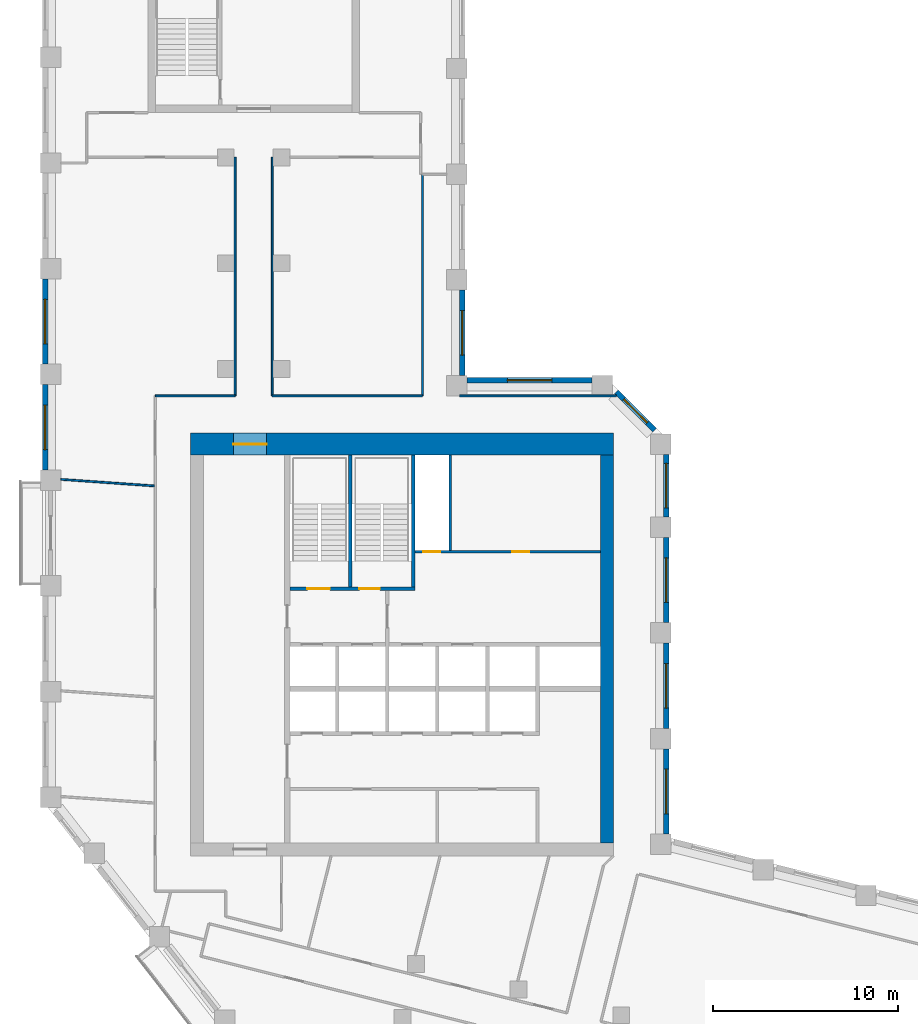
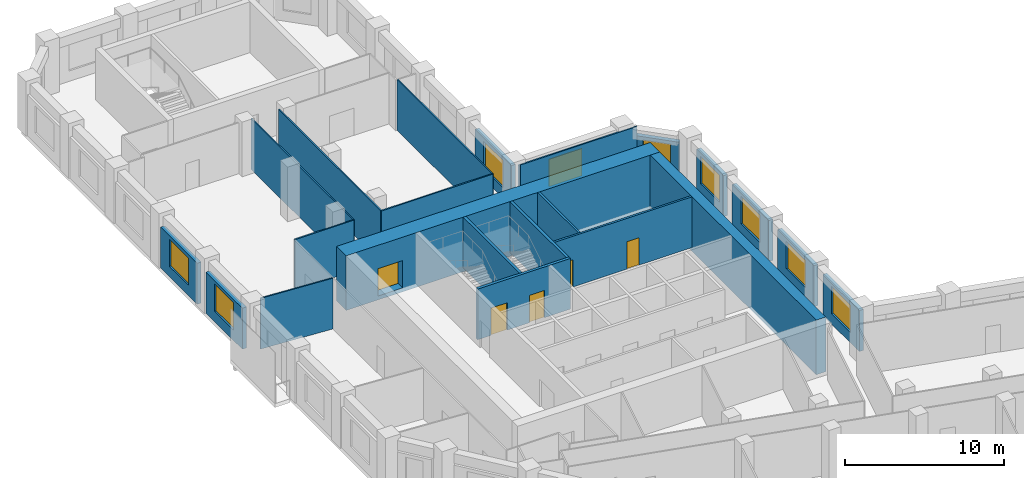
# One storey, part 6 of 10: 23 walls, 9 windows, 5 doors, 14 openings.
"""IFC4 building model written with IfcOpenShell, lengths in metres."""

from ifc_helpers import new_model, si_unit, direction, frame, frame_2d, origin, place, context, subcontext, project, spatial, rectangle, extrude, material, layer, layer_set, type_object, element, fill, save


model = new_model("IFC4")

# Units and contexts
model_context = context("Model", 3, precision=1e-05, world=origin(), true_north=direction((0.0, 1.0)))
body_context = subcontext(model_context, "Body", "Model", "MODEL_VIEW")
ifc_project = project(units=[si_unit("LENGTHUNIT", "METRE"), si_unit("AREAUNIT", "SQUARE_METRE"), si_unit("VOLUMEUNIT", "CUBIC_METRE"), si_unit("PLANEANGLEUNIT", "RADIAN"), si_unit("MASSUNIT", "GRAM", prefix="KILO")], contexts=[model_context])

# Site, building, storey
site_placement = place(None, origin())
site = spatial("IfcSite", under=ifc_project, at=site_placement, CompositionType="ELEMENT")
building_placement = place(site_placement, origin())
building = spatial("IfcBuilding", under=site, at=building_placement, Name="Meshkara Civic Tower", CompositionType="ELEMENT")
storey_placement = place(building_placement, frame((0.0, 0.0, 263.39990234375)))
storey = spatial("IfcBuildingStorey", under=building, at=storey_placement, Name="L60", CompositionType="ELEMENT", Elevation=263.39990234375)

# Wall, openings, doors
ifc_material_1 = material(Name="Blockwork", Category="masonry")
ifc_layer_1 = layer(ifc_material_1, 0.14990234375)
ifc_layer_set_1 = layer_set([ifc_layer_1], Name="Core partition 150")
wall_type_1 = type_object("IfcWallType", Name="Core partition 150", PredefinedType="PARTITIONING", material=ifc_layer_set_1)
wall_1_placement = place(storey_placement, frame((20.10009765625, 30.5, 0.0), z_axis=(0.0, 0.0, 1.0), x_axis=(1.0, 0.0, 0.0)))
wall_1 = element("IfcWall", 1, at=wall_1_placement, inside=storey, type_object=wall_type_1, Name="L60-C010", PredefinedType="PARTITIONING", context=body_context, shape_type="SweptSolid", body=[
    extrude(rectangle(XDim=10.0, YDim=0.14990234375, at=frame_2d((5.0, 0.0))), origin(), (0.0, 0.0, 1.0), 3.900146484375),
])
opening_1_placement = place(wall_1_placement, frame((0.449951171875, 0.0, 0.0)))
opening_1 = element("IfcOpeningElement", 2, at=opening_1_placement, cuts=wall_1, Name="Opening L60-K012", PredefinedType="OPENING", context=body_context, shape_type="SweptSolid", body=[
    extrude(rectangle(XDim=0.89990234375, YDim=2.10009765625, at=frame_2d((0.449951171875, 1.050048828125))), frame((0.0, 0.0849609375, 0.0), z_axis=(0.0, -1.0, 0.0), x_axis=(1.0, 0.0, 0.0)), (0.0, 0.0, 1.0), 0.169921875),
])
opening_2_placement = place(wall_1_placement, frame((5.25, 0.0, 0.0)))
opening_2 = element("IfcOpeningElement", 3, at=opening_2_placement, cuts=wall_1, Name="Opening L60-K013", PredefinedType="OPENING", context=body_context, shape_type="SweptSolid", body=[
    extrude(rectangle(XDim=0.89990234375, YDim=2.10009765625, at=frame_2d((0.449951171875, 1.050048828125))), frame((0.0, 0.0849609375, 0.0), z_axis=(0.0, -1.0, 0.0), x_axis=(1.0, 0.0, 0.0)), (0.0, 0.0, 1.0), 0.169921875),
])
ifc_material_2 = material(Name="Timber door leaf in steel frame", Category="steel")
door_type_1 = type_object("IfcDoorType", Name="Core room door 900", OperationType="SINGLE_SWING_LEFT", PredefinedType="DOOR", material=ifc_material_2)
door_1_placement = place(opening_2_placement, origin())
door_1 = element("IfcDoor", 4, at=door_1_placement, inside=storey, type_object=door_type_1, Name="L60-K013", OperationType="SINGLE_SWING_LEFT", OverallHeight=2.10009765625, OverallWidth=0.89990234375, PredefinedType="DOOR", context=body_context, shape_type="SweptSolid", body=[
    extrude(rectangle(XDim=0.89990234375, YDim=2.10009765625, at=frame_2d((0.449951171875, 1.050048828125))), frame((0.0, 0.02490234375, 0.0), z_axis=(0.0, -1.0, 0.0), x_axis=(1.0, 0.0, 0.0)), (0.0, 0.0, 1.0), 0.050048828125),
])
fill(opening_2, door_1)
ifc_material_3 = material(Name="Fire-rated door leaf in steel frame", Category="steel")
door_type_2 = type_object("IfcDoorType", Name="Riser door 900", OperationType="SINGLE_SWING_LEFT", PredefinedType="DOOR", material=ifc_material_3)
door_2_placement = place(opening_1_placement, origin())
door_2 = element("IfcDoor", 5, at=door_2_placement, inside=storey, type_object=door_type_2, Name="L60-K012", OperationType="SINGLE_SWING_RIGHT", OverallHeight=2.10009765625, OverallWidth=0.89990234375, PredefinedType="DOOR", context=body_context, shape_type="SweptSolid", body=[
    extrude(rectangle(XDim=0.89990234375, YDim=2.10009765625, at=frame_2d((0.449951171875, 1.050048828125))), frame((0.0, 0.02490234375, 0.0), z_axis=(0.0, -1.0, 0.0), x_axis=(1.0, 0.0, 0.0)), (0.0, 0.0, 1.0), 0.050048828125),
])
fill(opening_1, door_2)

# Wall
wall_2_placement = place(storey_placement, frame((22.0, 30.574951171875, 0.0), z_axis=(0.0, 0.0, 1.0), x_axis=(0.0, 1.0, 0.0)))
element("IfcWall", 6, at=wall_2_placement, inside=storey, type_object=wall_type_1, Name="L60-C018", PredefinedType="PARTITIONING", context=body_context, shape_type="SweptSolid", body=[
    extrude(rectangle(XDim=5.125, YDim=0.14990234375, at=frame_2d((2.5625, 0.0))), origin(), (0.0, 0.0, 1.0), 3.900146484375),
])

# Wall, opening, door
ifc_material_4 = material(Name="Concrete C60", Category="concrete")
ifc_layer_2 = layer(ifc_material_4, 1.199951171875)
ifc_layer_set_2 = layer_set([ifc_layer_2], Name="Core ring wall 1200 C60")
wall_type_2 = type_object("IfcWallType", Name="Core ring wall 1200 C60", PredefinedType="SHEAR", material=ifc_layer_set_2)
wall_3_placement = place(storey_placement, frame((8.0, 36.300048828125, -0.2998046875), z_axis=(0.0, 0.0, 1.0), x_axis=(1.0, 0.0, 0.0)))
wall_3 = element("IfcWall", 7, at=wall_3_placement, inside=storey, type_object=wall_type_2, Name="L60-C002", PredefinedType="SHEAR", context=body_context, shape_type="SweptSolid", body=[
    extrude(rectangle(XDim=22.800048828125, YDim=1.199951171875, at=frame_2d((11.39990234375, 0.0))), origin(), (0.0, 0.0, 1.0), 4.199951171875),
])
opening_3_placement = place(wall_3_placement, frame((2.300048828125, 0.0, 0.300048828125)))
opening_3 = element("IfcOpeningElement", 8, at=opening_3_placement, cuts=wall_3, Name="Opening L60-K019", PredefinedType="OPENING", context=body_context, shape_type="SweptSolid", body=[
    extrude(rectangle(XDim=1.800048828125, YDim=2.10009765625, at=frame_2d((0.89990234375, 1.050048828125))), frame((0.0, 0.60986328125, 0.0), z_axis=(0.0, -1.0, 0.0), x_axis=(1.0, 0.0, 0.0)), (0.0, 0.0, 1.0), 1.219970703125),
])
ifc_material_5 = material(Name="Fire-rated door leaf in steel frame", Category="steel")
door_type_3 = type_object("IfcDoorType", Name="Core double door 1800 EI 60", OperationType="DOUBLE_DOOR_SINGLE_SWING", PredefinedType="DOOR", material=ifc_material_5)
door_3_placement = place(opening_3_placement, origin())
door_3 = element("IfcDoor", 9, at=door_3_placement, inside=storey, type_object=door_type_3, Name="L60-K019", OperationType="DOUBLE_DOOR_SINGLE_SWING", OverallHeight=2.10009765625, OverallWidth=1.800048828125, PredefinedType="DOOR", context=body_context, shape_type="SweptSolid", body=[
    extrude(rectangle(XDim=1.800048828125, YDim=2.10009765625, at=frame_2d((0.89990234375, 1.050048828125))), frame((0.0, 0.02490234375, 0.0), z_axis=(0.0, -1.0, 0.0), x_axis=(1.0, 0.0, 0.0)), (0.0, 0.0, 1.0), 0.050048828125),
])
fill(opening_3, door_3)

# Walls
ifc_material_6 = material(Name="Concrete C60", Category="concrete")
ifc_layer_3 = layer(ifc_material_6, 0.699951171875)
ifc_layer_set_3 = layer_set([ifc_layer_3], Name="Core ring wall 700 C60")
wall_type_3 = type_object("IfcWallType", Name="Core ring wall 700 C60", PredefinedType="SHEAR", material=ifc_layer_set_3)
wall_4_placement = place(storey_placement, frame((30.449951171875, 14.800048828125, -0.2998046875), z_axis=(0.0, 0.0, 1.0), x_axis=(0.0, 1.0, 0.0)))
element("IfcWall", 10, at=wall_4_placement, inside=storey, type_object=wall_type_3, Name="L60-C004", PredefinedType="SHEAR", context=body_context, shape_type="SweptSolid", body=[
    extrude(rectangle(XDim=20.89990234375, YDim=0.699951171875, at=frame_2d((10.449951171875, 0.0))), origin(), (0.0, 0.0, 1.0), 4.199951171875),
])
ifc_material_7 = material(Name="Corridor wall 100")
ifc_layer_4 = layer(ifc_material_7, 0.10009765625)
ifc_layer_set_4 = layer_set([ifc_layer_4], Name="Corridor wall 100")
wall_type_4 = type_object("IfcWallType", Name="Corridor wall 100", PredefinedType="PARTITIONING", material=ifc_layer_set_4)
wall_5_placement = place(storey_placement, frame((10.39990234375, 38.89990234375, 0.0), z_axis=(0.0, 0.0, 1.0), x_axis=(-1.0, 0.0, 0.0)))
element("IfcWall", 11, at=wall_5_placement, inside=storey, type_object=wall_type_4, Name="L60-W011", PredefinedType="PARTITIONING", context=body_context, shape_type="SweptSolid", body=[
    extrude(rectangle(XDim=4.2998046875, YDim=0.10009765625, at=frame_2d((2.14990234375, 0.0))), origin(), (0.0, 0.0, 1.0), 3.900146484375),
])
for number, where, z_axis, x_axis, name in (
    (12, (10.39990234375, 51.77001953125, 0.0), (0.0, 0.0, 1.0), (0.0, -1.0, 0.0), "L60-W012"),
    (13, (12.39990234375, 38.89990234375, 0.0), (0.0, 0.0, 1.0), (0.0, 1.0, 0.0), "L60-W013"),
):
    element("IfcWall", number, at=place(storey_placement, frame(where, z_axis=z_axis, x_axis=x_axis)), inside=storey, type_object=wall_type_4, Name=name, PredefinedType="PARTITIONING", context=body_context, shape_type="SweptSolid", body=[
        extrude(rectangle(XDim=12.8701171875, YDim=0.10009765625, at=frame_2d((6.43505859375, 0.0))), origin(), (0.0, 0.0, 1.0), 3.900146484375),
    ])
wall_6_placement = place(storey_placement, frame((20.5, 38.89990234375, 0.0), z_axis=(0.0, 0.0, 1.0), x_axis=(-1.0, 0.0, 0.0)))
element("IfcWall", 14, at=wall_6_placement, inside=storey, type_object=wall_type_4, Name="L60-W018", PredefinedType="PARTITIONING", context=body_context, shape_type="SweptSolid", body=[
    extrude(rectangle(XDim=8.10009765625, YDim=0.10009765625, at=frame_2d((4.050048828125, 0.0))), origin(), (0.0, 0.0, 1.0), 3.900146484375),
])
wall_7_placement = place(storey_placement, frame((20.5, 50.85009765625, 0.0), z_axis=(0.0, 0.0, 1.0), x_axis=(0.0, -1.0, 0.0)))
element("IfcWall", 15, at=wall_7_placement, inside=storey, type_object=wall_type_4, Name="L60-W019", PredefinedType="PARTITIONING", context=body_context, shape_type="SweptSolid", body=[
    extrude(rectangle(XDim=11.9501953125, YDim=0.10009765625, at=frame_2d((5.97509765625, 0.0))), origin(), (0.0, 0.0, 1.0), 3.900146484375),
])
wall_8_placement = place(storey_placement, frame((30.9560546875, 38.89990234375, 0.0), z_axis=(0.0, 0.0, 1.0), x_axis=(-1.0, 0.0, 0.0)))
element("IfcWall", 16, at=wall_8_placement, inside=storey, type_object=wall_type_4, Name="L60-W025", PredefinedType="PARTITIONING", context=body_context, shape_type="SweptSolid", body=[
    extrude(rectangle(XDim=8.4560546875, YDim=0.10009765625, at=frame_2d((4.22802734375, 0.0))), origin(), (0.0, 0.0, 1.0), 3.900146484375),
])

# Wall, opening, window
ifc_material_8 = material(Name="Insulated infill panel with bronze anodised aluminium cladding", Category="aluminium")
ifc_layer_5 = layer(ifc_material_8, 0.300048828125)
ifc_layer_set_5 = layer_set([ifc_layer_5], Name="EXTERNAL INFILL WALL 300")
wall_type_5 = type_object("IfcWallType", Name="EXTERNAL INFILL WALL 300", PredefinedType="SOLIDWALL", material=ifc_layer_set_5)
wall_9_placement = place(storey_placement, frame((33.64990234375, 15.26904296875, 0.0), z_axis=(0.0, 0.0, 1.0), x_axis=(0.0, 1.0, 0.0)))
wall_9 = element("IfcWall", 17, at=wall_9_placement, inside=storey, type_object=wall_type_5, Name="External wall", PredefinedType="SOLIDWALL", context=body_context, shape_type="SweptSolid", body=[
    extrude(rectangle(XDim=4.599853515625, YDim=0.300048828125, at=frame_2d((2.2998046875, 0.0))), origin(), (0.0, 0.0, 1.0), 3.150146484375),
])
opening_4_placement = place(wall_9_placement, frame((1.10009765625, 0.0, 0.800048828125)))
opening_4 = element("IfcOpeningElement", 18, at=opening_4_placement, cuts=wall_9, Name="Opening W7", PredefinedType="OPENING", context=body_context, shape_type="SweptSolid", body=[
    extrude(rectangle(XDim=2.39990234375, YDim=2.10009765625, at=frame_2d((1.199951171875, 1.050048828125))), frame((0.0, 0.159912109375, 0.0), z_axis=(0.0, -1.0, 0.0), x_axis=(1.0, 0.0, 0.0)), (0.0, 0.0, 1.0), 0.320068359375),
])
ifc_material_9 = material(Name="Tinted double glazing", Category="glass")
window_type_1 = type_object("IfcWindowType", Name="WINDOW 2400x2100", PartitioningType="DOUBLE_PANEL_VERTICAL", PredefinedType="WINDOW", material=ifc_material_9)
window_1_placement = place(opening_4_placement, origin())
window_1 = element("IfcWindow", 19, at=window_1_placement, inside=storey, type_object=window_type_1, Name="Window", OverallHeight=2.10009765625, OverallWidth=2.39990234375, PartitioningType="DOUBLE_PANEL_VERTICAL", PredefinedType="WINDOW", context=body_context, shape_type="SweptSolid", body=[
    extrude(rectangle(XDim=2.39990234375, YDim=2.10009765625, at=frame_2d((1.199951171875, 1.050048828125))), frame((0.0, 0.030029296875, 0.0), z_axis=(0.0, -1.0, 0.0), x_axis=(1.0, 0.0, 0.0)), (0.0, 0.0, 1.0), 0.06005859375),
])
fill(opening_4, window_1)

wall_10_placement = place(storey_placement, frame((33.64990234375, 20.968994140625, 0.0), z_axis=(0.0, 0.0, 1.0), x_axis=(0.0, 1.0, 0.0)))
wall_10 = element("IfcWall", 20, at=wall_10_placement, inside=storey, type_object=wall_type_5, Name="External wall", PredefinedType="SOLIDWALL", context=body_context, shape_type="SweptSolid", body=[
    extrude(rectangle(XDim=4.60009765625, YDim=0.300048828125, at=frame_2d((2.300048828125, 0.0))), origin(), (0.0, 0.0, 1.0), 3.150146484375),
])
opening_5_placement = place(wall_10_placement, frame((1.10009765625, 0.0, 0.800048828125)))
opening_5 = element("IfcOpeningElement", 21, at=opening_5_placement, cuts=wall_10, Name="Opening W7", PredefinedType="OPENING", context=body_context, shape_type="SweptSolid", body=[
    extrude(rectangle(XDim=2.39990234375, YDim=2.10009765625, at=frame_2d((1.199951171875, 1.050048828125))), frame((0.0, 0.159912109375, 0.0), z_axis=(0.0, -1.0, 0.0), x_axis=(1.0, 0.0, 0.0)), (0.0, 0.0, 1.0), 0.320068359375),
])
window_2_placement = place(opening_5_placement, origin())
window_2 = element("IfcWindow", 22, at=window_2_placement, inside=storey, type_object=window_type_1, Name="Window", OverallHeight=2.10009765625, OverallWidth=2.39990234375, PartitioningType="DOUBLE_PANEL_VERTICAL", PredefinedType="WINDOW", context=body_context, shape_type="SweptSolid", body=[
    extrude(rectangle(XDim=2.39990234375, YDim=2.10009765625, at=frame_2d((1.199951171875, 1.050048828125))), frame((0.0, 0.030029296875, 0.0), z_axis=(0.0, -1.0, 0.0), x_axis=(1.0, 0.0, 0.0)), (0.0, 0.0, 1.0), 0.06005859375),
])
fill(opening_5, window_2)

wall_11_placement = place(storey_placement, frame((33.64990234375, 26.6689453125, 0.0), z_axis=(0.0, 0.0, 1.0), x_axis=(0.0, 1.0, 0.0)))
wall_11 = element("IfcWall", 23, at=wall_11_placement, inside=storey, type_object=wall_type_5, Name="External wall", PredefinedType="SOLIDWALL", context=body_context, shape_type="SweptSolid", body=[
    extrude(rectangle(XDim=4.60009765625, YDim=0.300048828125, at=frame_2d((2.300048828125, 0.0))), origin(), (0.0, 0.0, 1.0), 3.150146484375),
])
opening_6_placement = place(wall_11_placement, frame((1.10009765625, 0.0, 0.800048828125)))
opening_6 = element("IfcOpeningElement", 24, at=opening_6_placement, cuts=wall_11, Name="Opening W7", PredefinedType="OPENING", context=body_context, shape_type="SweptSolid", body=[
    extrude(rectangle(XDim=2.39990234375, YDim=2.10009765625, at=frame_2d((1.199951171875, 1.050048828125))), frame((0.0, 0.159912109375, 0.0), z_axis=(0.0, -1.0, 0.0), x_axis=(1.0, 0.0, 0.0)), (0.0, 0.0, 1.0), 0.320068359375),
])
window_3_placement = place(opening_6_placement, origin())
window_3 = element("IfcWindow", 25, at=window_3_placement, inside=storey, type_object=window_type_1, Name="Window", OverallHeight=2.10009765625, OverallWidth=2.39990234375, PartitioningType="DOUBLE_PANEL_VERTICAL", PredefinedType="WINDOW", context=body_context, shape_type="SweptSolid", body=[
    extrude(rectangle(XDim=2.39990234375, YDim=2.10009765625, at=frame_2d((1.199951171875, 1.050048828125))), frame((0.0, 0.030029296875, 0.0), z_axis=(0.0, -1.0, 0.0), x_axis=(1.0, 0.0, 0.0)), (0.0, 0.0, 1.0), 0.06005859375),
])
fill(opening_6, window_3)

wall_12_placement = place(storey_placement, frame((33.64990234375, 32.368896484375, 0.0), z_axis=(0.0, 0.0, 1.0), x_axis=(0.0, 1.0, 0.0)))
wall_12 = element("IfcWall", 26, at=wall_12_placement, inside=storey, type_object=wall_type_5, Name="External wall", PredefinedType="SOLIDWALL", context=body_context, shape_type="SweptSolid", body=[
    extrude(rectangle(XDim=3.375, YDim=0.300048828125, at=frame_2d((1.6875, 0.0))), origin(), (0.0, 0.0, 1.0), 3.150146484375),
])
opening_7_placement = place(wall_12_placement, frame((0.488037109375, 0.0, 0.800048828125)))
opening_7 = element("IfcOpeningElement", 27, at=opening_7_placement, cuts=wall_12, Name="Opening W7", PredefinedType="OPENING", context=body_context, shape_type="SweptSolid", body=[
    extrude(rectangle(XDim=2.39990234375, YDim=2.10009765625, at=frame_2d((1.199951171875, 1.050048828125))), frame((0.0, 0.159912109375, 0.0), z_axis=(0.0, -1.0, 0.0), x_axis=(1.0, 0.0, 0.0)), (0.0, 0.0, 1.0), 0.320068359375),
])
window_4_placement = place(opening_7_placement, origin())
window_4 = element("IfcWindow", 28, at=window_4_placement, inside=storey, type_object=window_type_1, Name="Window", OverallHeight=2.10009765625, OverallWidth=2.39990234375, PartitioningType="DOUBLE_PANEL_VERTICAL", PredefinedType="WINDOW", context=body_context, shape_type="SweptSolid", body=[
    extrude(rectangle(XDim=2.39990234375, YDim=2.10009765625, at=frame_2d((1.199951171875, 1.050048828125))), frame((0.0, 0.030029296875, 0.0), z_axis=(0.0, -1.0, 0.0), x_axis=(1.0, 0.0, 0.0)), (0.0, 0.0, 1.0), 0.06005859375),
])
fill(opening_7, window_4)

wall_13_placement = place(storey_placement, frame((33.011962890625, 37.055908203125, 0.0), z_axis=(0.0, 0.0, 1.0), x_axis=(-0.707064797706, 0.707148762175, 0.0)))
wall_13 = element("IfcWall", 29, at=wall_13_placement, inside=storey, type_object=wall_type_5, Name="External wall", PredefinedType="SOLIDWALL", context=body_context, shape_type="SweptSolid", body=[
    extrude(rectangle(XDim=2.90771484375, YDim=0.300048828125, at=frame_2d((1.453857421875, 0.0))), origin(), (0.0, 0.0, 1.0), 3.150146484375),
])
opening_8_placement = place(wall_13_placement, frame((0.553955078125, 0.0, 0.800048828125)))
opening_8 = element("IfcOpeningElement", 30, at=opening_8_placement, cuts=wall_13, Name="Opening W9", PredefinedType="OPENING", context=body_context, shape_type="SweptSolid", body=[
    extrude(rectangle(XDim=1.800048828125, YDim=2.10009765625, at=frame_2d((0.89990234375, 1.050048828125))), frame((0.0, 0.159912109375, 0.0), z_axis=(0.0, -1.0, 0.0), x_axis=(1.0, 0.0, 0.0)), (0.0, 0.0, 1.0), 0.320068359375),
])
ifc_material_10 = material(Name="Tinted double glazing", Category="glass")
window_type_2 = type_object("IfcWindowType", Name="WINDOW 1800x2100", PartitioningType="DOUBLE_PANEL_VERTICAL", PredefinedType="WINDOW", material=ifc_material_10)
window_5_placement = place(opening_8_placement, origin())
window_5 = element("IfcWindow", 31, at=window_5_placement, inside=storey, type_object=window_type_2, Name="Window", OverallHeight=2.10009765625, OverallWidth=1.800048828125, PartitioningType="DOUBLE_PANEL_VERTICAL", PredefinedType="WINDOW", context=body_context, shape_type="SweptSolid", body=[
    extrude(rectangle(XDim=1.800048828125, YDim=2.10009765625, at=frame_2d((0.89990234375, 1.050048828125))), frame((0.0, 0.030029296875, 0.0), z_axis=(0.0, -1.0, 0.0), x_axis=(1.0, 0.0, 0.0)), (0.0, 0.0, 1.0), 0.06005859375),
])
fill(opening_8, window_5)

wall_14_placement = place(storey_placement, frame((29.64404296875, 39.75, 0.0), z_axis=(0.0, 0.0, 1.0), x_axis=(-1.0, 0.0, 0.0)))
wall_14 = element("IfcWall", 32, at=wall_14_placement, inside=storey, type_object=wall_type_5, Name="External wall", PredefinedType="SOLIDWALL", context=body_context, shape_type="SweptSolid", body=[
    extrude(rectangle(XDim=6.744140625, YDim=0.300048828125, at=frame_2d((3.3720703125, 0.0))), origin(), (0.0, 0.0, 1.0), 3.150146484375),
])
opening_9_placement = place(wall_14_placement, frame((2.172119140625, 0.0, 0.800048828125)))
opening_9 = element("IfcOpeningElement", 33, at=opening_9_placement, cuts=wall_14, Name="Opening W7", PredefinedType="OPENING", context=body_context, shape_type="SweptSolid", body=[
    extrude(rectangle(XDim=2.39990234375, YDim=2.10009765625, at=frame_2d((1.199951171875, 1.050048828125))), frame((0.0, 0.159912109375, 0.0), z_axis=(0.0, -1.0, 0.0), x_axis=(1.0, 0.0, 0.0)), (0.0, 0.0, 1.0), 0.320068359375),
])
window_6_placement = place(opening_9_placement, origin())
window_6 = element("IfcWindow", 34, at=window_6_placement, inside=storey, type_object=window_type_1, Name="Window", OverallHeight=2.10009765625, OverallWidth=2.39990234375, PartitioningType="DOUBLE_PANEL_VERTICAL", PredefinedType="WINDOW", context=body_context, shape_type="SweptSolid", body=[
    extrude(rectangle(XDim=2.39990234375, YDim=2.10009765625, at=frame_2d((1.199951171875, 1.050048828125))), frame((0.0, 0.030029296875, 0.0), z_axis=(0.0, -1.0, 0.0), x_axis=(1.0, 0.0, 0.0)), (0.0, 0.0, 1.0), 0.06005859375),
])
fill(opening_9, window_6)

wall_15_placement = place(storey_placement, frame((22.64990234375, 40.0, 0.0), z_axis=(0.0, 0.0, 1.0), x_axis=(0.0, 1.0, 0.0)))
wall_15 = element("IfcWall", 35, at=wall_15_placement, inside=storey, type_object=wall_type_5, Name="External wall", PredefinedType="SOLIDWALL", context=body_context, shape_type="SweptSolid", body=[
    extrude(rectangle(XDim=4.60009765625, YDim=0.300048828125, at=frame_2d((2.300048828125, 0.0))), origin(), (0.0, 0.0, 1.0), 3.150146484375),
])
opening_10_placement = place(wall_15_placement, frame((1.10009765625, 0.0, 0.800048828125)))
opening_10 = element("IfcOpeningElement", 36, at=opening_10_placement, cuts=wall_15, Name="Opening W7", PredefinedType="OPENING", context=body_context, shape_type="SweptSolid", body=[
    extrude(rectangle(XDim=2.39990234375, YDim=2.10009765625, at=frame_2d((1.199951171875, 1.050048828125))), frame((0.0, 0.159912109375, 0.0), z_axis=(0.0, -1.0, 0.0), x_axis=(1.0, 0.0, 0.0)), (0.0, 0.0, 1.0), 0.320068359375),
])
window_7_placement = place(opening_10_placement, origin())
window_7 = element("IfcWindow", 37, at=window_7_placement, inside=storey, type_object=window_type_1, Name="Window", OverallHeight=2.10009765625, OverallWidth=2.39990234375, PartitioningType="DOUBLE_PANEL_VERTICAL", PredefinedType="WINDOW", context=body_context, shape_type="SweptSolid", body=[
    extrude(rectangle(XDim=2.39990234375, YDim=2.10009765625, at=frame_2d((1.199951171875, 1.050048828125))), frame((0.0, 0.030029296875, 0.0), z_axis=(0.0, -1.0, 0.0), x_axis=(1.0, 0.0, 0.0)), (0.0, 0.0, 1.0), 0.06005859375),
])
fill(opening_10, window_7)

wall_16_placement = place(storey_placement, frame((0.14990234375, 45.205078125, 0.0), z_axis=(0.0, 0.0, 1.0), x_axis=(0.0, -1.0, 0.0)))
wall_16 = element("IfcWall", 38, at=wall_16_placement, inside=storey, type_object=wall_type_5, Name="External wall", PredefinedType="SOLIDWALL", context=body_context, shape_type="SweptSolid", body=[
    extrude(rectangle(XDim=4.60009765625, YDim=0.300048828125, at=frame_2d((2.300048828125, 0.0))), origin(), (0.0, 0.0, 1.0), 3.150146484375),
])
opening_11_placement = place(wall_16_placement, frame((1.10009765625, 0.0, 0.800048828125)))
opening_11 = element("IfcOpeningElement", 39, at=opening_11_placement, cuts=wall_16, Name="Opening W7", PredefinedType="OPENING", context=body_context, shape_type="SweptSolid", body=[
    extrude(rectangle(XDim=2.39990234375, YDim=2.10009765625, at=frame_2d((1.199951171875, 1.050048828125))), frame((0.0, 0.159912109375, 0.0), z_axis=(0.0, -1.0, 0.0), x_axis=(1.0, 0.0, 0.0)), (0.0, 0.0, 1.0), 0.320068359375),
])
window_8_placement = place(opening_11_placement, origin())
window_8 = element("IfcWindow", 40, at=window_8_placement, inside=storey, type_object=window_type_1, Name="Window", OverallHeight=2.10009765625, OverallWidth=2.39990234375, PartitioningType="DOUBLE_PANEL_VERTICAL", PredefinedType="WINDOW", context=body_context, shape_type="SweptSolid", body=[
    extrude(rectangle(XDim=2.39990234375, YDim=2.10009765625, at=frame_2d((1.199951171875, 1.050048828125))), frame((0.0, 0.030029296875, 0.0), z_axis=(0.0, -1.0, 0.0), x_axis=(1.0, 0.0, 0.0)), (0.0, 0.0, 1.0), 0.06005859375),
])
fill(opening_11, window_8)

wall_17_placement = place(storey_placement, frame((0.14990234375, 39.5048828125, 0.0), z_axis=(0.0, 0.0, 1.0), x_axis=(0.0, -1.0, 0.0)))
wall_17 = element("IfcWall", 41, at=wall_17_placement, inside=storey, type_object=wall_type_5, Name="External wall", PredefinedType="SOLIDWALL", context=body_context, shape_type="SweptSolid", body=[
    extrude(rectangle(XDim=4.599853515625, YDim=0.300048828125, at=frame_2d((2.2998046875, 0.0))), origin(), (0.0, 0.0, 1.0), 3.150146484375),
])
opening_12_placement = place(wall_17_placement, frame((1.10009765625, 0.0, 0.800048828125)))
opening_12 = element("IfcOpeningElement", 42, at=opening_12_placement, cuts=wall_17, Name="Opening W7", PredefinedType="OPENING", context=body_context, shape_type="SweptSolid", body=[
    extrude(rectangle(XDim=2.39990234375, YDim=2.10009765625, at=frame_2d((1.199951171875, 1.050048828125))), frame((0.0, 0.159912109375, 0.0), z_axis=(0.0, -1.0, 0.0), x_axis=(1.0, 0.0, 0.0)), (0.0, 0.0, 1.0), 0.320068359375),
])
window_9_placement = place(opening_12_placement, origin())
window_9 = element("IfcWindow", 43, at=window_9_placement, inside=storey, type_object=window_type_1, Name="Window", OverallHeight=2.10009765625, OverallWidth=2.39990234375, PartitioningType="DOUBLE_PANEL_VERTICAL", PredefinedType="WINDOW", context=body_context, shape_type="SweptSolid", body=[
    extrude(rectangle(XDim=2.39990234375, YDim=2.10009765625, at=frame_2d((1.199951171875, 1.050048828125))), frame((0.0, 0.030029296875, 0.0), z_axis=(0.0, -1.0, 0.0), x_axis=(1.0, 0.0, 0.0)), (0.0, 0.0, 1.0), 0.06005859375),
])
fill(opening_12, window_9)

# Wall
ifc_material_11 = material(Name="Partition 100")
ifc_layer_6 = layer(ifc_material_11, 0.10009765625)
ifc_layer_set_6 = layer_set([ifc_layer_6], Name="Partition 100")
wall_type_6 = type_object("IfcWallType", Name="Partition 100", PredefinedType="PARTITIONING", material=ifc_layer_set_6)
wall_18_placement = place(storey_placement, frame((6.047119140625, 34.0439453125, 0.0), z_axis=(0.0, 0.0, 1.0), x_axis=(-0.9975626968, 0.06977582642, 0.0)))
element("IfcWall", 44, at=wall_18_placement, inside=storey, type_object=wall_type_6, Name="L60-W038", PredefinedType="PARTITIONING", context=body_context, shape_type="SweptSolid", body=[
    extrude(rectangle(XDim=5.0595703125, YDim=0.10009765625, at=frame_2d((2.52978515625, 0.0))), origin(), (0.0, 0.0, 1.0), 3.900146484375),
])

# Wall, openings, doors
ifc_material_12 = material(Name="Concrete C40/50", Category="concrete")
ifc_layer_7 = layer(ifc_material_12, 0.199951171875)
ifc_layer_set_7 = layer_set([ifc_layer_7], Name="Stair enclosure wall 200 C40/50")
wall_type_7 = type_object("IfcWallType", Name="Stair enclosure wall 200 C40/50", PredefinedType="SOLIDWALL", material=ifc_layer_set_7)
wall_19_placement = place(storey_placement, frame((13.35009765625, 28.5, 0.0), z_axis=(0.0, 0.0, 1.0), x_axis=(1.0, 0.0, 0.0)))
wall_19 = element("IfcWall", 45, at=wall_19_placement, inside=storey, type_object=wall_type_7, Name="L60-C009", PredefinedType="SOLIDWALL", context=body_context, shape_type="SweptSolid", body=[
    extrude(rectangle(XDim=6.75, YDim=0.199951171875, at=frame_2d((3.375, 0.0))), origin(), (0.0, 0.0, 1.0), 3.900146484375),
])
opening_13_placement = place(wall_19_placement, frame((0.949951171875, 0.0, 0.0)))
opening_13 = element("IfcOpeningElement", 46, at=opening_13_placement, cuts=wall_19, Name="Opening L60-K014", PredefinedType="OPENING", context=body_context, shape_type="SweptSolid", body=[
    extrude(rectangle(XDim=1.199951171875, YDim=2.10009765625, at=frame_2d((0.60009765625, 1.050048828125))), frame((0.0, 0.10986328125, 0.0), z_axis=(0.0, -1.0, 0.0), x_axis=(1.0, 0.0, 0.0)), (0.0, 0.0, 1.0), 0.219970703125),
])
opening_14_placement = place(wall_19_placement, frame((3.75, 0.0, 0.0)))
opening_14 = element("IfcOpeningElement", 47, at=opening_14_placement, cuts=wall_19, Name="Opening L60-K015", PredefinedType="OPENING", context=body_context, shape_type="SweptSolid", body=[
    extrude(rectangle(XDim=1.10009765625, YDim=2.10009765625, at=frame_2d((0.550048828125, 1.050048828125))), frame((0.0, 0.10986328125, 0.0), z_axis=(0.0, -1.0, 0.0), x_axis=(1.0, 0.0, 0.0)), (0.0, 0.0, 1.0), 0.219970703125),
])
ifc_material_13 = material(Name="Fire-rated door leaf in steel frame", Category="steel")
door_type_4 = type_object("IfcDoorType", Name="Stair door 1100 EI 120", OperationType="SINGLE_SWING_LEFT", PredefinedType="DOOR", material=ifc_material_13)
door_4_placement = place(opening_14_placement, origin())
door_4 = element("IfcDoor", 48, at=door_4_placement, inside=storey, type_object=door_type_4, Name="L60-K015", OperationType="SINGLE_SWING_LEFT", OverallHeight=2.10009765625, OverallWidth=1.10009765625, PredefinedType="DOOR", context=body_context, shape_type="SweptSolid", body=[
    extrude(rectangle(XDim=1.10009765625, YDim=2.10009765625, at=frame_2d((0.550048828125, 1.050048828125))), frame((0.0, 0.02490234375, 0.0), z_axis=(0.0, -1.0, 0.0), x_axis=(1.0, 0.0, 0.0)), (0.0, 0.0, 1.0), 0.050048828125),
])
fill(opening_14, door_4)
ifc_material_14 = material(Name="Fire-rated door leaf in steel frame", Category="steel")
door_type_5 = type_object("IfcDoorType", Name="Stair door 1200 EI 120", OperationType="SINGLE_SWING_LEFT", PredefinedType="DOOR", material=ifc_material_14)
door_5_placement = place(opening_13_placement, origin())
door_5 = element("IfcDoor", 49, at=door_5_placement, inside=storey, type_object=door_type_5, Name="L60-K014", OperationType="SINGLE_SWING_RIGHT", OverallHeight=2.10009765625, OverallWidth=1.199951171875, PredefinedType="DOOR", context=body_context, shape_type="SweptSolid", body=[
    extrude(rectangle(XDim=1.199951171875, YDim=2.10009765625, at=frame_2d((0.60009765625, 1.050048828125))), frame((0.0, 0.02490234375, 0.0), z_axis=(0.0, -1.0, 0.0), x_axis=(1.0, 0.0, 0.0)), (0.0, 0.0, 1.0), 0.050048828125),
])
fill(opening_13, door_5)

# Walls
for number, where, z_axis, x_axis, name in (
    (50, (16.60009765625, 28.60009765625, 0.0), (0.0, 0.0, 1.0), (0.0, 1.0, 0.0), "L60-C013"),
    (51, (20.0, 28.60009765625, 0.0), (0.0, 0.0, 1.0), (0.0, 1.0, 0.0), "L60-C015"),
):
    element("IfcWall", number, at=place(storey_placement, frame(where, z_axis=z_axis, x_axis=x_axis)), inside=storey, type_object=wall_type_7, Name=name, PredefinedType="SOLIDWALL", context=body_context, shape_type="SweptSolid", body=[
        extrude(rectangle(XDim=7.099853515625, YDim=0.199951171875, at=frame_2d((3.5498046875, 0.0))), origin(), (0.0, 0.0, 1.0), 3.900146484375),
    ])

save(model, "model.ifc")
